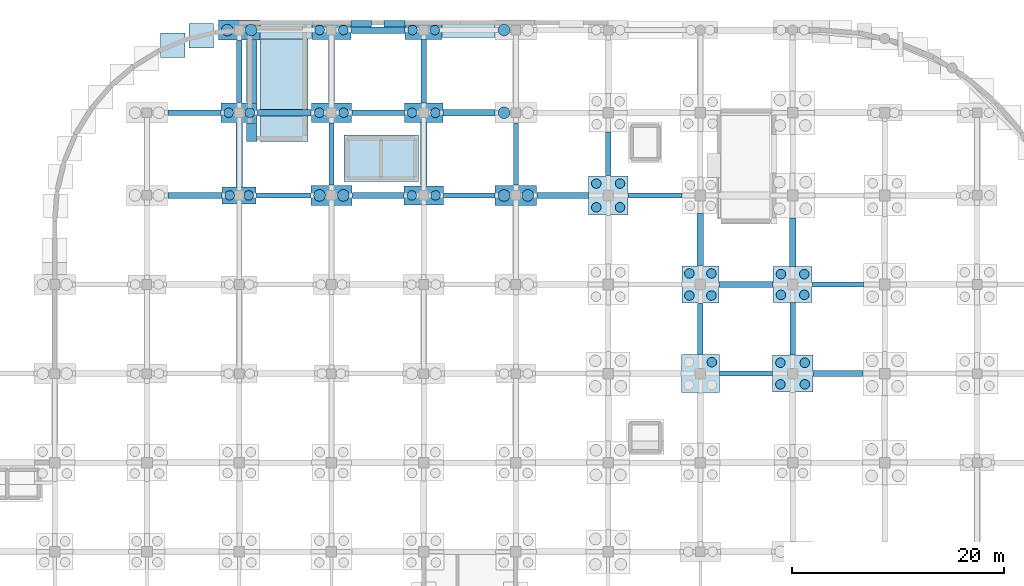
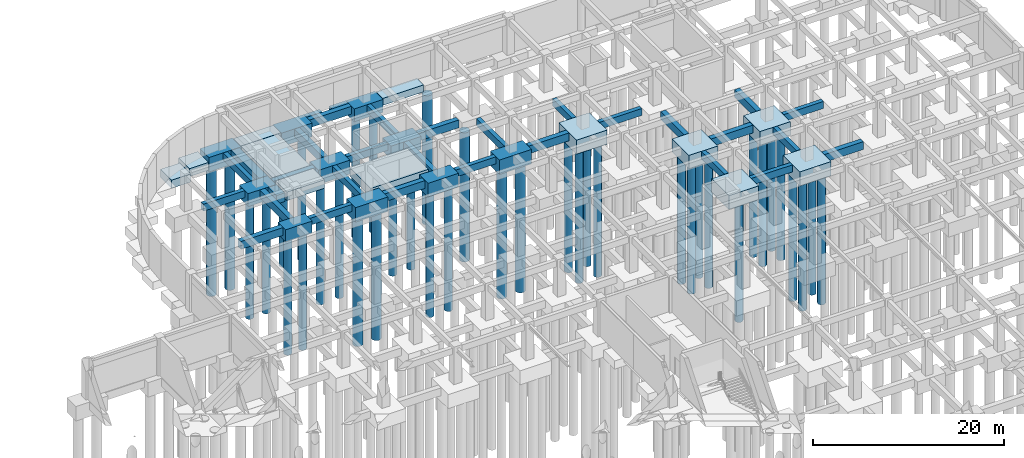
# One storey, part 10 of 33: 53 footings, 39 piles.
"""IFC4 building model written with IfcOpenShell, lengths in metres."""

import ifcopenshell
import ifcopenshell.guid

model = None  # the IFC model being written
_history = None  # IfcOwnerHistory: only IFC2X3 demands one
_inside = {}  # id of a spatial element -> (the spatial element, [elements in it])
_under = {}  # id of a project, library or spatial element -> (it, [spatial elements below it])
_declared = {}  # id of a project -> (the project, [libraries it declares])
_typed = {}  # id of a type object -> (the type object, [elements of that type])
_made_of = {}  # id of a material, layer set ... -> (it, [elements and type objects made of it])


def new_model(schema):
    """Start an empty IFC model of exactly this schema.

    Asked for "IFC4X3", IfcOpenShell would pick the latest addendum, in which some entities
    have other attributes; the version numbers below select the first issue.
    IFC2X3 requires an IfcOwnerHistory on every rooted entity: one is made here for all.
    """
    global model, _history
    if schema == "IFC4X3":
        model = ifcopenshell.file(schema_version=(4, 3, 0, 0))
    else:
        model = ifcopenshell.file(schema=schema)
    _inside.clear()
    _under.clear()
    _declared.clear()
    _typed.clear()
    _made_of.clear()
    _history = None
    if model.schema == "IFC2X3":
        org = make("IfcOrganization", Name="unknown")
        user = make(
            "IfcPersonAndOrganization",
            ThePerson=make("IfcPerson", FamilyName="unknown"),
            TheOrganization=org,
        )
        app = make(
            "IfcApplication",
            ApplicationDeveloper=org,
            Version="unknown",
            ApplicationFullName="unknown",
            ApplicationIdentifier="unknown",
        )
        _history = make(
            "IfcOwnerHistory",
            OwningUser=user,
            OwningApplication=app,
            ChangeAction="ADDED",
            CreationDate=0,
        )
    return model


def make(cls, **values):
    """One entity of the class cls with the attributes given. An attribute that is None is left unset."""
    return model.create_entity(
        cls, **{name: value for name, value in values.items() if value is not None}
    )


def rooted(cls, **values):
    """An entity with a GlobalId (a new one), such as an element, a storey or a relation."""
    return make(cls, GlobalId=ifcopenshell.guid.new(), OwnerHistory=_history, **values)


def si_unit(unit_type, name, prefix=None):
    """IfcSIUnit, for example si_unit("LENGTHUNIT", "METRE", prefix="MILLI")."""
    return make("IfcSIUnit", UnitType=unit_type, Prefix=prefix, Name=name)


def derived_unit(unit_type, elements):
    """IfcDerivedUnit: a product of units, each with its exponent."""
    return make(
        "IfcDerivedUnit",
        Elements=[
            make("IfcDerivedUnitElement", Unit=unit, Exponent=power)
            for unit, power in elements
        ],
        UnitType=unit_type,
    )


def assignment(units):
    """IfcUnitAssignment: the units of a project."""
    return None if units is None else make("IfcUnitAssignment", Units=units)


def point(xyz):
    """IfcCartesianPoint."""
    return None if xyz is None else make("IfcCartesianPoint", Coordinates=xyz)


def direction(xyz):
    """IfcDirection."""
    return None if xyz is None else make("IfcDirection", DirectionRatios=xyz)


def frame(location, z_axis=None, x_axis=None):
    """IfcAxis2Placement3D, a coordinate frame: its origin and axes. An axis left out is left unset."""
    return make(
        "IfcAxis2Placement3D",
        Location=point(location),
        Axis=direction(z_axis),
        RefDirection=direction(x_axis),
    )


def frame_2d(location, x_axis=None):
    """IfcAxis2Placement2D, a coordinate frame in the plane: its origin and x axis."""
    return make(
        "IfcAxis2Placement2D", Location=point(location), RefDirection=direction(x_axis)
    )


def origin():
    """The frame at (0, 0, 0) with its axes left unset."""
    return frame((0.0, 0.0, 0.0))


def origin_2d():
    """The frame at (0, 0) in the plane with its x axis left unset."""
    return frame_2d((0.0, 0.0))


def place(relative_to, where):
    """IfcLocalPlacement: puts the frame where relative to a parent placement (None: the world)."""
    return make(
        "IfcLocalPlacement", PlacementRelTo=relative_to, RelativePlacement=where
    )


def context(
    kind, dimensions, precision=None, world=None, true_north=None, identifier=None
):
    """IfcGeometricRepresentationContext, for example the 3D "Model" context."""
    return make(
        "IfcGeometricRepresentationContext",
        ContextIdentifier=identifier,
        ContextType=kind,
        CoordinateSpaceDimension=dimensions,
        Precision=precision,
        WorldCoordinateSystem=world,
        TrueNorth=true_north,
    )


def subcontext(parent, identifier, kind, view, scale=None):
    """IfcGeometricRepresentationSubContext, for example "Body" below "Model"."""
    return make(
        "IfcGeometricRepresentationSubContext",
        ContextIdentifier=identifier,
        ContextType=kind,
        ParentContext=parent,
        TargetScale=scale,
        TargetView=view,
    )


def project(units=None, contexts=None):
    """IfcProject with its units and contexts."""
    return rooted(
        "IfcProject",
        Name="project",
        RepresentationContexts=contexts,
        UnitsInContext=assignment(units),
    )


def spatial(cls, under=None, at=None, **own):
    """A site, building, storey or space (cls), placed at a placement, below another one or the project."""
    s = rooted(cls, ObjectPlacement=at, **own)
    if under is not None:
        _under.setdefault(under.id(), (under, []))[1].append(s)
    return s


def profile(cls, at=None, kind="AREA", **sizes):
    """A parametric profile (cls). Its sizes go by their IFC names, for example OverallWidth=200.0."""
    return make(cls, ProfileType=kind, Position=at, **sizes)


def rectangle(**sizes):
    """IfcRectangleProfileDef."""
    return profile("IfcRectangleProfileDef", **sizes)


def circle(**sizes):
    """IfcCircleProfileDef."""
    return profile("IfcCircleProfileDef", **sizes)


def extrude(swept, where, along, depth):
    """IfcExtrudedAreaSolid: the profile swept, set in the frame where, extruded along a direction by depth."""
    return make(
        "IfcExtrudedAreaSolid",
        SweptArea=swept,
        Position=where,
        ExtrudedDirection=direction(along),
        Depth=depth,
    )


def shape(context_of_items, identifier, shape_type, items):
    """IfcShapeRepresentation: the items that make up one representation, for example the "Body"."""
    return make(
        "IfcShapeRepresentation",
        ContextOfItems=context_of_items,
        RepresentationIdentifier=identifier,
        RepresentationType=shape_type,
        Items=items,
    )


def material(Name=None, Category=None):
    """IfcMaterial."""
    return make("IfcMaterial", Name=Name, Category=Category)


def material_profile(
    of_material, cross_section, Name=None, Category=None, Priority=None
):
    """IfcMaterialProfile: a cross section and its material."""
    return make(
        "IfcMaterialProfile",
        Name=Name,
        Material=of_material,
        Profile=cross_section,
        Priority=Priority,
        Category=Category,
    )


def profile_set(profiles, Name=None, composite=None):
    """IfcMaterialProfileSet."""
    return make(
        "IfcMaterialProfileSet",
        Name=Name,
        MaterialProfiles=profiles,
        CompositeProfile=composite,
    )


def made_of(thing, what):
    """Note that an element or type object is made of a material, layer set ...; save() writes the relation."""
    if what is not None:
        _made_of.setdefault(what.id(), (what, []))[1].append(thing)
    return thing


def type_object(cls, material=None, **own):
    """A type object (cls), such as IfcWallType, which elements share."""
    return made_of(rooted(cls, **own), material)


def element(
    cls,
    number,
    at=None,
    inside=None,
    cuts=None,
    type_object=None,
    material=None,
    context=None,
    identifier="Body",
    shape_type=None,
    held_by="IfcProductDefinitionShape",
    body=None,
    shapes=None,
    **own,
):
    """One element of the class cls, such as IfcWall. Its Tag is "e" and its number.

    at: its placement. inside: the storey or other place that contains it. cuts: it is an
    opening in that element (IfcRelVoidsElement). A single representation is given by context,
    identifier, shape_type and body (its items); several are given by shapes. held_by: the class
    of the entity that holds the representations. save() writes the other relations.
    """
    e = rooted(cls, Tag="e%d" % number, ObjectPlacement=at, **own)
    if body is not None:
        shapes = [shape(context, identifier, shape_type, body)]
    if shapes is not None:
        e.Representation = make(held_by, Representations=shapes)
    if inside is not None:
        _inside.setdefault(inside.id(), (inside, []))[1].append(e)
    if cuts is not None:
        rooted(
            "IfcRelVoidsElement", RelatingBuildingElement=cuts, RelatedOpeningElement=e
        )
    if type_object is not None:
        _typed.setdefault(type_object.id(), (type_object, []))[1].append(e)
    return made_of(e, material)


def aggregate(whole, parts):
    """IfcRelAggregates: a whole, such as a stair, and the parts it consists of."""
    return rooted("IfcRelAggregates", RelatingObject=whole, RelatedObjects=parts)


def save(model, path):
    """Write the relations noted so far, then the file.

    IfcRelAggregates (storeys below a building ...), IfcRelContainedInSpatialStructure (elements
    in a storey), IfcRelDefinesByType, IfcRelAssociatesMaterial and IfcRelDeclares: one each for
    every whole, place, type object, material and project.
    """
    for whole, parts in _under.values():
        aggregate(whole, parts)
    for where, things in _inside.values():
        rooted(
            "IfcRelContainedInSpatialStructure",
            RelatedElements=things,
            RelatingStructure=where,
        )
    for kind, things in _typed.values():
        rooted("IfcRelDefinesByType", RelatedObjects=things, RelatingType=kind)
    for what, things in _made_of.values():
        rooted("IfcRelAssociatesMaterial", RelatedObjects=things, RelatingMaterial=what)
    for by, libraries in _declared.values():
        rooted("IfcRelDeclares", RelatingContext=by, RelatedDefinitions=libraries)
    model.write(path)


model = new_model("IFC4")

# Units and contexts
model_context = context("Model", 3, precision=1e-05, world=origin(), true_north=direction((0.0, 1.0)))
body_context = subcontext(model_context, "Body", "Model", "MODEL_VIEW")
ifc_project = project(units=[si_unit("LENGTHUNIT", "METRE"), si_unit("AREAUNIT", "SQUARE_METRE"), si_unit("VOLUMEUNIT", "CUBIC_METRE"), si_unit("PLANEANGLEUNIT", "RADIAN"), si_unit("MASSUNIT", "GRAM", prefix="KILO"), derived_unit("THERMALTRANSMITTANCEUNIT", [(si_unit("MASSUNIT", "GRAM", prefix="KILO"), 1), (si_unit("TIMEUNIT", "SECOND"), -3), (si_unit("THERMODYNAMICTEMPERATUREUNIT", "KELVIN"), -1)])], contexts=[model_context])

# Site, building, storey
site_placement = place(None, origin())
site = spatial("IfcSite", under=ifc_project, at=site_placement, CompositionType="ELEMENT")
building_placement = place(site_placement, origin())
building = spatial("IfcBuilding", under=site, at=building_placement, Name="Qinzheling Arcade Emporium", CompositionType="ELEMENT")
storey_placement = place(building_placement, frame((0.0, 0.0, -9.60009765625)))
storey = spatial("IfcBuildingStorey", under=building, at=storey_placement, Name="B2", CompositionType="ELEMENT", Elevation=-9.60009765625)

# Footings
ifc_material = material(Name="Concrete C40", Category="concrete")
footing_type_1 = type_object("IfcFootingType", Name="Arcade Pad Footing 2400x2400x1050 C40", PredefinedType="PAD_FOOTING", material=ifc_material)
footing_1_placement = place(storey_placement, frame((63.3330078125, 113.177978515625, -1.0498046875), z_axis=(0.0, 0.0, 1.0), x_axis=(1.0, 0.0, 0.0)))
element("IfcFooting", 1, at=footing_1_placement, inside=storey, type_object=footing_type_1, Name="Retaining Wall Pad Footing FND-PF-RW-031", PredefinedType="PAD_FOOTING", context=body_context, shape_type="SweptSolid", body=[
    extrude(rectangle(XDim=2.300048828125, YDim=2.301025390625, at=origin_2d()), origin(), (0.0, 0.0, 1.0), 1.050048828125),
])
footing_2_placement = place(storey_placement, frame((81.10791015625, 115.202880859375, -1.0498046875), z_axis=(0.0, 0.0, 1.0), x_axis=(1.0, 0.0, 0.0)))
element("IfcFooting", 2, at=footing_2_placement, inside=storey, type_object=footing_type_1, Name="Retaining Wall Pad Footing FND-PF-RW-033", PredefinedType="PAD_FOOTING", context=body_context, shape_type="SweptSolid", body=[
    extrude(rectangle(XDim=1.903076171875, YDim=0.593994140625, at=origin_2d()), origin(), (0.0, 0.0, 1.0), 1.050048828125),
])
footing_type_2 = type_object("IfcFootingType", Name="Canopy Pad Footing 2600x2600x1100 C40", PredefinedType="PAD_FOOTING", material=ifc_material)
footing_3_placement = place(storey_placement, frame((70.800048828125, 104.97705078125, -1.099853515625), z_axis=(0.0, 0.0, 1.0), x_axis=(1.0, 0.0, 0.0)))
element("IfcFooting", 3, at=footing_3_placement, inside=storey, type_object=footing_type_2, Name="Stair Core Mat Pad FND-PF-ST-ST07-1", PredefinedType="PAD_FOOTING", context=body_context, shape_type="SweptSolid", body=[
    extrude(rectangle(XDim=0.99609375, YDim=1.7509765625, at=origin_2d()), origin(), (0.0, 0.0, 1.0), 1.10009765625),
])
footing_4_placement = place(storey_placement, frame((70.800048828125, 110.68798828125, -1.099853515625), z_axis=(0.0, 0.0, 1.0), x_axis=(1.0, 0.0, 0.0)))
element("IfcFooting", 4, at=footing_4_placement, inside=storey, type_object=footing_type_2, Name="Stair Core Mat Pad FND-PF-ST-ST07-2", PredefinedType="PAD_FOOTING", context=body_context, shape_type="SweptSolid", body=[
    extrude(rectangle(XDim=0.99609375, YDim=5.881103515625, at=origin_2d()), origin(), (0.0, 0.0, 1.0), 1.10009765625),
])
footing_5_placement = place(storey_placement, frame((73.830078125, 105.2900390625, -1.099853515625), z_axis=(0.0, 0.0, 1.0), x_axis=(1.0, 0.0, 0.0)))
element("IfcFooting", 5, at=footing_5_placement, inside=storey, type_object=footing_type_2, Name="Stair Core Mat Pad FND-PF-ST-ST07-3", PredefinedType="PAD_FOOTING", context=body_context, shape_type="SweptSolid", body=[
    extrude(rectangle(XDim=4.51611328125, YDim=2.3759765625, at=origin_2d()), origin(), (0.0, 0.0, 1.0), 1.10009765625),
])
footing_6_placement = place(storey_placement, frame((73.830078125, 110.449951171875, -1.099853515625), z_axis=(0.0, 0.0, 1.0), x_axis=(1.0, 0.0, 0.0)))
element("IfcFooting", 6, at=footing_6_placement, inside=storey, type_object=footing_type_2, Name="Stair Core Mat Pad FND-PF-ST-ST07-4", PredefinedType="PAD_FOOTING", context=body_context, shape_type="SweptSolid", body=[
    extrude(rectangle(XDim=4.51611328125, YDim=6.656005859375, at=origin_2d()), origin(), (0.0, 0.0, 1.0), 1.10009765625),
])
footing_7_placement = place(storey_placement, frame((83.0, 102.5, -1.099853515625), z_axis=(0.0, 0.0, 1.0), x_axis=(1.0, 0.0, 0.0)))
element("IfcFooting", 7, at=footing_7_placement, inside=storey, type_object=footing_type_2, Name="Lift Pit Mat Pad FND-PF-LF-LG01", PredefinedType="PAD_FOOTING", context=body_context, shape_type="SweptSolid", body=[
    extrude(rectangle(XDim=6.99609375, YDim=4.39599609375, at=origin_2d()), origin(), (0.0, 0.0, 1.0), 1.10009765625),
])
footing_type_3 = type_object("IfcFootingType", Name="Core Strip Footing 1400x900 C40", PredefinedType="STRIP_FOOTING", material=ifc_material)
footing_8_placement = place(storey_placement, frame((91.25, 114.60009765625, -0.89990234375), z_axis=(0.0, 0.0, 1.0), x_axis=(1.0, 0.0, 0.0)))
element("IfcFooting", 8, at=footing_8_placement, inside=storey, type_object=footing_type_3, Name="Foundation Tie FND-SF-007", PredefinedType="STRIP_FOOTING", context=body_context, shape_type="SweptSolid", body=[
    extrude(rectangle(XDim=4.9599609375, YDim=1.39990234375, at=origin_2d()), origin(), (0.0, 0.0, 1.0), 0.89990234375),
])
footing_type_4 = type_object("IfcFootingType", Name="Foundation Tie Beam 500x900 C40", PredefinedType="FOOTING_BEAM", material=ifc_material)
footing_9_placement = place(storey_placement, frame((117.39990234375, 82.199951171875, -0.89990234375), z_axis=(0.0, 0.0, 1.0), x_axis=(1.0, 0.0, 0.0)))
element("IfcFooting", 9, at=footing_9_placement, inside=storey, type_object=footing_type_4, Name="Foundation Tie FND-FB-143", PredefinedType="FOOTING_BEAM", context=body_context, shape_type="SweptSolid", body=[
    extrude(rectangle(XDim=4.9599609375, YDim=0.5, at=origin_2d()), origin(), (0.0, 0.0, 1.0), 0.89990234375),
])
footing_10_placement = place(storey_placement, frame((126.074951171875, 90.60009765625, -0.89990234375), z_axis=(0.0, 0.0, 1.0), x_axis=(1.0, 0.0, 0.0)))
element("IfcFooting", 10, at=footing_10_placement, inside=storey, type_object=footing_type_4, Name="Foundation Tie FND-FB-155", PredefinedType="FOOTING_BEAM", context=body_context, shape_type="SweptSolid", body=[
    extrude(rectangle(XDim=4.81005859375, YDim=0.5, at=origin_2d()), origin(), (0.0, 0.0, 1.0), 0.89990234375),
])
footing_11_placement = place(storey_placement, frame((73.77490234375, 99.0, -0.89990234375), z_axis=(0.0, 0.0, 1.0), x_axis=(1.0, 0.0, 0.0)))
element("IfcFooting", 11, at=footing_11_placement, inside=storey, type_object=footing_type_4, Name="Foundation Tie FND-FB-159", PredefinedType="FOOTING_BEAM", context=body_context, shape_type="SweptSolid", body=[
    extrude(rectangle(XDim=5.110107421875, YDim=0.5, at=origin_2d()), origin(), (0.0, 0.0, 1.0), 0.89990234375),
])
footing_12_placement = place(storey_placement, frame((91.300048828125, 99.0, -0.89990234375), z_axis=(0.0, 0.0, 1.0), x_axis=(1.0, 0.0, 0.0)))
element("IfcFooting", 12, at=footing_12_placement, inside=storey, type_object=footing_type_4, Name="Foundation Tie FND-FB-161", PredefinedType="FOOTING_BEAM", context=body_context, shape_type="SweptSolid", body=[
    extrude(rectangle(XDim=4.860107421875, YDim=0.5, at=origin_2d()), origin(), (0.0, 0.0, 1.0), 0.89990234375),
])
footing_13_placement = place(storey_placement, frame((108.824951171875, 99.0, -0.89990234375), z_axis=(0.0, 0.0, 1.0), x_axis=(1.0, 0.0, 0.0)))
element("IfcFooting", 13, at=footing_13_placement, inside=storey, type_object=footing_type_4, Name="Foundation Tie FND-FB-163", PredefinedType="FOOTING_BEAM", context=body_context, shape_type="SweptSolid", body=[
    extrude(rectangle(XDim=5.110107421875, YDim=0.5, at=origin_2d()), origin(), (0.0, 0.0, 1.0), 0.89990234375),
])
footing_14_placement = place(storey_placement, frame((65.375, 106.800048828125, -0.89990234375), z_axis=(0.0, 0.0, 1.0), x_axis=(1.0, 0.0, 0.0)))
element("IfcFooting", 14, at=footing_14_placement, inside=storey, type_object=footing_type_4, Name="Foundation Tie FND-FB-167", PredefinedType="FOOTING_BEAM", context=body_context, shape_type="SweptSolid", body=[
    extrude(rectangle(XDim=5.010009765625, YDim=0.5, at=origin_2d()), origin(), (0.0, 0.0, 1.0), 0.89990234375),
])
footing_15_placement = place(storey_placement, frame((82.699951171875, 106.800048828125, -0.89990234375), z_axis=(0.0, 0.0, 1.0), x_axis=(1.0, 0.0, 0.0)))
element("IfcFooting", 15, at=footing_15_placement, inside=storey, type_object=footing_type_4, Name="Foundation Tie FND-FB-169", PredefinedType="FOOTING_BEAM", context=body_context, shape_type="SweptSolid", body=[
    extrude(rectangle(XDim=4.9599609375, YDim=0.5, at=origin_2d()), origin(), (0.0, 0.0, 1.0), 0.89990234375),
])
for number, where, z_axis, x_axis, name in (
    (16, (69.60009765625, 110.68798828125, -0.89990234375), (0.0, 0.0, 1.0), (1.0, 0.0, 0.0), "Foundation Tie FND-FB-245"),
    (17, (78.300048828125, 102.912109375, -0.89990234375), (0.0, 0.0, 1.0), (1.0, 0.0, 0.0), "Foundation Tie FND-FB-253"),
):
    element("IfcFooting", number, at=place(storey_placement, frame(where, z_axis=z_axis, x_axis=x_axis)), inside=storey, type_object=footing_type_4, Name=name, PredefinedType="FOOTING_BEAM", context=body_context, shape_type="SweptSolid", body=[
        extrude(rectangle(XDim=0.5, YDim=5.885009765625, at=origin_2d()), origin(), (0.0, 0.0, 1.0), 0.89990234375),
    ])
footing_16_placement = place(storey_placement, frame((87.0, 110.712890625, -0.89990234375), z_axis=(0.0, 0.0, 1.0), x_axis=(1.0, 0.0, 0.0)))
element("IfcFooting", 18, at=footing_16_placement, inside=storey, type_object=footing_type_4, Name="Foundation Tie FND-FB-263", PredefinedType="FOOTING_BEAM", context=body_context, shape_type="SweptSolid", body=[
    extrude(rectangle(XDim=0.5, YDim=5.985107421875, at=origin_2d()), origin(), (0.0, 0.0, 1.0), 0.89990234375),
])
footing_17_placement = place(storey_placement, frame((95.699951171875, 102.89990234375, -0.89990234375), z_axis=(0.0, 0.0, 1.0), x_axis=(1.0, 0.0, 0.0)))
element("IfcFooting", 19, at=footing_17_placement, inside=storey, type_object=footing_type_4, Name="Foundation Tie FND-FB-271", PredefinedType="FOOTING_BEAM", context=body_context, shape_type="SweptSolid", body=[
    extrude(rectangle(XDim=0.5, YDim=5.860107421875, at=origin_2d()), origin(), (0.0, 0.0, 1.0), 0.89990234375),
])
footing_18_placement = place(storey_placement, frame((104.39990234375, 102.925048828125, -0.89990234375), z_axis=(0.0, 0.0, 1.0), x_axis=(1.0, 0.0, 0.0)))
element("IfcFooting", 20, at=footing_18_placement, inside=storey, type_object=footing_type_4, Name="Foundation Tie FND-FB-283", PredefinedType="FOOTING_BEAM", context=body_context, shape_type="SweptSolid", body=[
    extrude(rectangle(XDim=0.5, YDim=4.110107421875, at=origin_2d()), origin(), (0.0, 0.0, 1.0), 0.89990234375),
])
footing_19_placement = place(storey_placement, frame((113.10009765625, 86.425048828125, -0.89990234375), z_axis=(0.0, 0.0, 1.0), x_axis=(1.0, 0.0, 0.0)))
element("IfcFooting", 21, at=footing_19_placement, inside=storey, type_object=footing_type_4, Name="Foundation Tie FND-FB-293", PredefinedType="FOOTING_BEAM", context=body_context, shape_type="SweptSolid", body=[
    extrude(rectangle(XDim=0.5, YDim=4.81005859375, at=origin_2d()), origin(), (0.0, 0.0, 1.0), 0.89990234375),
])
footing_20_placement = place(storey_placement, frame((121.800048828125, 86.425048828125, -0.89990234375), z_axis=(0.0, 0.0, 1.0), x_axis=(1.0, 0.0, 0.0)))
element("IfcFooting", 22, at=footing_20_placement, inside=storey, type_object=footing_type_4, Name="Foundation Tie FND-FB-305", PredefinedType="FOOTING_BEAM", context=body_context, shape_type="SweptSolid", body=[
    extrude(rectangle(XDim=0.5, YDim=4.909912109375, at=origin_2d()), origin(), (0.0, 0.0, 1.0), 0.89990234375),
])
footing_type_5 = type_object("IfcFootingType", Name="Foundation Tie Beam 600x1000 C40", PredefinedType="FOOTING_BEAM", material=ifc_material)
footing_21_placement = place(storey_placement, frame((126.074951171875, 82.199951171875, -1.0), z_axis=(0.0, 0.0, 1.0), x_axis=(1.0, 0.0, 0.0)))
element("IfcFooting", 23, at=footing_21_placement, inside=storey, type_object=footing_type_5, Name="Foundation Tie FND-FB-144", PredefinedType="FOOTING_BEAM", context=body_context, shape_type="SweptSolid", body=[
    extrude(rectangle(XDim=4.7099609375, YDim=0.60009765625, at=origin_2d()), origin(), (0.0, 0.0, 1.0), 1.0),
])
footing_22_placement = place(storey_placement, frame((117.39990234375, 90.60009765625, -1.0), z_axis=(0.0, 0.0, 1.0), x_axis=(1.0, 0.0, 0.0)))
element("IfcFooting", 24, at=footing_22_placement, inside=storey, type_object=footing_type_5, Name="Foundation Tie FND-FB-154", PredefinedType="FOOTING_BEAM", context=body_context, shape_type="SweptSolid", body=[
    extrude(rectangle(XDim=5.06005859375, YDim=0.60009765625, at=origin_2d()), origin(), (0.0, 0.0, 1.0), 1.0),
])
footing_23_placement = place(storey_placement, frame((65.425048828125, 99.0, -1.0), z_axis=(0.0, 0.0, 1.0), x_axis=(1.0, 0.0, 0.0)))
element("IfcFooting", 25, at=footing_23_placement, inside=storey, type_object=footing_type_5, Name="Foundation Tie FND-FB-158", PredefinedType="FOOTING_BEAM", context=body_context, shape_type="SweptSolid", body=[
    extrude(rectangle(XDim=5.110107421875, YDim=0.60009765625, at=origin_2d()), origin(), (0.0, 0.0, 1.0), 1.0),
])
for number, where, z_axis, x_axis, name in (
    (26, (82.699951171875, 99.0, -1.0), (0.0, 0.0, 1.0), (1.0, 0.0, 0.0), "Foundation Tie FND-FB-160"),
    (27, (100.10009765625, 99.0, -1.0), (0.0, 0.0, 1.0), (1.0, 0.0, 0.0), "Foundation Tie FND-FB-162"),
):
    element("IfcFooting", number, at=place(storey_placement, frame(where, z_axis=z_axis, x_axis=x_axis)), inside=storey, type_object=footing_type_5, Name=name, PredefinedType="FOOTING_BEAM", context=body_context, shape_type="SweptSolid", body=[
        extrude(rectangle(XDim=4.860107421875, YDim=0.60009765625, at=origin_2d()), origin(), (0.0, 0.0, 1.0), 1.0),
    ])
footing_24_placement = place(storey_placement, frame((73.85009765625, 106.800048828125, -1.0), z_axis=(0.0, 0.0, 1.0), x_axis=(1.0, 0.0, 0.0)))
element("IfcFooting", 28, at=footing_24_placement, inside=storey, type_object=footing_type_5, Name="Foundation Tie FND-FB-168", PredefinedType="FOOTING_BEAM", context=body_context, shape_type="SweptSolid", body=[
    extrude(rectangle(XDim=5.06005859375, YDim=0.60009765625, at=origin_2d()), origin(), (0.0, 0.0, 1.0), 1.0),
])
footing_25_placement = place(storey_placement, frame((91.27490234375, 106.800048828125, -1.0), z_axis=(0.0, 0.0, 1.0), x_axis=(1.0, 0.0, 0.0)))
element("IfcFooting", 29, at=footing_25_placement, inside=storey, type_object=footing_type_5, Name="Foundation Tie FND-FB-170", PredefinedType="FOOTING_BEAM", context=body_context, shape_type="SweptSolid", body=[
    extrude(rectangle(XDim=4.909912109375, YDim=0.60009765625, at=origin_2d()), origin(), (0.0, 0.0, 1.0), 1.0),
])
footing_26_placement = place(storey_placement, frame((82.699951171875, 114.60009765625, -1.0), z_axis=(0.0, 0.0, 1.0), x_axis=(1.0, 0.0, 0.0)))
element("IfcFooting", 30, at=footing_26_placement, inside=storey, type_object=footing_type_5, Name="Foundation Tie FND-FB-176", PredefinedType="FOOTING_BEAM", context=body_context, shape_type="SweptSolid", body=[
    extrude(rectangle(XDim=5.06005859375, YDim=0.60009765625, at=origin_2d()), origin(), (0.0, 0.0, 1.0), 1.0),
])
footing_27_placement = place(storey_placement, frame((69.60009765625, 102.837890625, -1.0), z_axis=(0.0, 0.0, 1.0), x_axis=(1.0, 0.0, 0.0)))
element("IfcFooting", 31, at=footing_27_placement, inside=storey, type_object=footing_type_5, Name="Foundation Tie FND-FB-244", PredefinedType="FOOTING_BEAM", context=body_context, shape_type="SweptSolid", body=[
    extrude(rectangle(XDim=0.60009765625, YDim=6.034912109375, at=origin_2d()), origin(), (0.0, 0.0, 1.0), 1.0),
])
footing_28_placement = place(storey_placement, frame((78.300048828125, 110.712890625, -1.0), z_axis=(0.0, 0.0, 1.0), x_axis=(1.0, 0.0, 0.0)))
element("IfcFooting", 32, at=footing_28_placement, inside=storey, type_object=footing_type_5, Name="Foundation Tie FND-FB-254", PredefinedType="FOOTING_BEAM", context=body_context, shape_type="SweptSolid", body=[
    extrude(rectangle(XDim=0.60009765625, YDim=5.93505859375, at=origin_2d()), origin(), (0.0, 0.0, 1.0), 1.0),
])
footing_29_placement = place(storey_placement, frame((87.0, 102.89990234375, -1.0), z_axis=(0.0, 0.0, 1.0), x_axis=(1.0, 0.0, 0.0)))
element("IfcFooting", 33, at=footing_29_placement, inside=storey, type_object=footing_type_5, Name="Foundation Tie FND-FB-262", PredefinedType="FOOTING_BEAM", context=body_context, shape_type="SweptSolid", body=[
    extrude(rectangle(XDim=0.60009765625, YDim=5.9599609375, at=origin_2d()), origin(), (0.0, 0.0, 1.0), 1.0),
])
footing_30_placement = place(storey_placement, frame((113.10009765625, 94.824951171875, -1.0), z_axis=(0.0, 0.0, 1.0), x_axis=(1.0, 0.0, 0.0)))
element("IfcFooting", 34, at=footing_30_placement, inside=storey, type_object=footing_type_5, Name="Foundation Tie FND-FB-294", PredefinedType="FOOTING_BEAM", context=body_context, shape_type="SweptSolid", body=[
    extrude(rectangle(XDim=0.60009765625, YDim=4.909912109375, at=origin_2d()), origin(), (0.0, 0.0, 1.0), 1.0),
])
footing_31_placement = place(storey_placement, frame((121.800048828125, 94.60009765625, -1.0), z_axis=(0.0, 0.0, 1.0), x_axis=(1.0, 0.0, 0.0)))
element("IfcFooting", 35, at=footing_31_placement, inside=storey, type_object=footing_type_5, Name="Foundation Tie FND-FB-306", PredefinedType="FOOTING_BEAM", context=body_context, shape_type="SweptSolid", body=[
    extrude(rectangle(XDim=0.60009765625, YDim=4.56005859375, at=origin_2d()), origin(), (0.0, 0.0, 1.0), 1.0),
])
footing_type_6 = type_object("IfcFootingType", Name="Four-Pile Arcade Cap 3700x3400x1750 C40", PredefinedType="PILE_CAP", material=ifc_material)
footing_32_placement = place(storey_placement, frame((121.800048828125, 90.60009765625, -1.75), z_axis=(0.0, 0.0, 1.0), x_axis=(1.0, 0.0, 0.0)))
element("IfcFooting", 36, at=footing_32_placement, inside=storey, type_object=footing_type_6, Name="Pile Cap FND-PC-154", PredefinedType="PILE_CAP", context=body_context, shape_type="SweptSolid", body=[
    extrude(rectangle(XDim=3.699951171875, YDim=3.39990234375, at=origin_2d()), origin(), (0.0, 0.0, 1.0), 1.75),
])
footing_type_7 = type_object("IfcFootingType", Name="Four-Pile Frame Cap 3600x3600x1750 C40", PredefinedType="PILE_CAP", material=ifc_material)
footing_33_placement = place(storey_placement, frame((113.10009765625, 82.199951171875, -1.75), z_axis=(0.0, 0.0, 1.0), x_axis=(1.0, 0.0, 0.0)))
element("IfcFooting", 37, at=footing_33_placement, inside=storey, type_object=footing_type_7, Name="Pile Cap FND-PC-139", PredefinedType="PILE_CAP", context=body_context, shape_type="SweptSolid", body=[
    extrude(rectangle(XDim=3.60009765625, YDim=3.60009765625, at=origin_2d()), origin(), (0.0, 0.0, 1.0), 1.75),
])
footing_type_8 = type_object("IfcFootingType", Name="Four-Pile Gallery Cap 3500x3500x1700 C40", PredefinedType="PILE_CAP", material=ifc_material)
footing_34_placement = place(storey_placement, frame((113.10009765625, 90.60009765625, -1.69970703125), z_axis=(0.0, 0.0, 1.0), x_axis=(1.0, 0.0, 0.0)))
element("IfcFooting", 38, at=footing_34_placement, inside=storey, type_object=footing_type_8, Name="Pile Cap FND-PC-140", PredefinedType="PILE_CAP", context=body_context, shape_type="SweptSolid", body=[
    extrude(rectangle(XDim=3.5, YDim=3.5, at=origin_2d()), origin(), (0.0, 0.0, 1.0), 1.699951171875),
])
footing_type_9 = type_object("IfcFootingType", Name="Four-Pile Office Cap 3800x3500x1800 C40", PredefinedType="PILE_CAP", material=ifc_material)
footing_35_placement = place(storey_placement, frame((121.800048828125, 82.199951171875, -1.7998046875), z_axis=(0.0, 0.0, 1.0), x_axis=(1.0, 0.0, 0.0)))
element("IfcFooting", 39, at=footing_35_placement, inside=storey, type_object=footing_type_9, Name="Pile Cap FND-PC-153", PredefinedType="PILE_CAP", context=body_context, shape_type="SweptSolid", body=[
    extrude(rectangle(XDim=3.800048828125, YDim=3.5, at=origin_2d()), origin(), (0.0, 0.0, 1.0), 1.800048828125),
])
footing_type_10 = type_object("IfcFootingType", Name="Four-Pile Retail Cap 3700x3700x1800 C40", PredefinedType="PILE_CAP", material=ifc_material)
footing_36_placement = place(storey_placement, frame((104.39990234375, 99.0, -1.7998046875), z_axis=(0.0, 0.0, 1.0), x_axis=(1.0, 0.0, 0.0)))
element("IfcFooting", 40, at=footing_36_placement, inside=storey, type_object=footing_type_10, Name="Pile Cap FND-PC-127", PredefinedType="PILE_CAP", context=body_context, shape_type="SweptSolid", body=[
    extrude(rectangle(XDim=3.699951171875, YDim=3.699951171875, at=origin_2d()), origin(), (0.0, 0.0, 1.0), 1.800048828125),
])
footing_type_11 = type_object("IfcFootingType", Name="Loggia Pad Footing 2200x2200x1000 C40", PredefinedType="PAD_FOOTING", material=ifc_material)
footing_37_placement = place(storey_placement, frame((66.010986328125, 114.048095703125, -1.0), z_axis=(0.0, 0.0, 1.0), x_axis=(1.0, 0.0, 0.0)))
element("IfcFooting", 41, at=footing_37_placement, inside=storey, type_object=footing_type_11, Name="Retaining Wall Pad Footing FND-PF-RW-032", PredefinedType="PAD_FOOTING", context=body_context, shape_type="SweptSolid", body=[
    extrude(rectangle(XDim=2.300048828125, YDim=2.300048828125, at=origin_2d()), origin(), (0.0, 0.0, 1.0), 1.0),
])
footing_38_placement = place(storey_placement, frame((84.242919921875, 115.202880859375, -1.0), z_axis=(0.0, 0.0, 1.0), x_axis=(1.0, 0.0, 0.0)))
element("IfcFooting", 42, at=footing_38_placement, inside=storey, type_object=footing_type_11, Name="Retaining Wall Pad Footing FND-PF-RW-034", PredefinedType="PAD_FOOTING", context=body_context, shape_type="SweptSolid", body=[
    extrude(rectangle(XDim=2.001953125, YDim=0.593994140625, at=origin_2d()), origin(), (0.0, 0.0, 1.0), 1.0),
])
footing_type_12 = type_object("IfcFootingType", Name="Retaining Wall Strip Footing 1600x1000 C40", PredefinedType="STRIP_FOOTING", material=ifc_material)
footing_39_placement = place(storey_placement, frame((74.0, 114.60009765625, -1.0), z_axis=(0.0, 0.0, 1.0), x_axis=(1.0, 0.0, 0.0)))
element("IfcFooting", 43, at=footing_39_placement, inside=storey, type_object=footing_type_12, Name="Foundation Tie FND-SF-006", PredefinedType="STRIP_FOOTING", context=body_context, shape_type="SweptSolid", body=[
    extrude(rectangle(XDim=4.860107421875, YDim=1.60009765625, at=origin_2d()), origin(), (0.0, 0.0, 1.0), 1.0),
])

# Piles
ifc_material_profile_1 = material_profile(ifc_material, circle(Radius=0.550048828125, at=origin_2d()), Name="BORED D1100", Category="concrete")
ifc_profile_set_1 = profile_set([ifc_material_profile_1], Name="Concrete C40")
pile_type_1 = type_object("IfcPileType", Name="Rotary Bored Pile D1100 C40", PredefinedType="BORED", material=ifc_profile_set_1)
for number, where, z_axis, x_axis, name in (
    (44, (68.47998046875, 114.60009765625, -1.75), (0.0, 0.0, -1.0), (1.0, 0.0, 0.0), "Bored Pile FND-PL-0269"),
    (45, (70.719970703125, 114.60009765625, -1.75), (0.0, 0.0, -1.0), (1.0, 0.0, 0.0), "Bored Pile FND-PL-0270"),
    (46, (77.179931640625, 99.0, -1.75), (0.0, 0.0, -1.0), (1.0, 0.0, 0.0), "Bored Pile FND-PL-0295"),
    (47, (79.419921875, 99.0, -1.75), (0.0, 0.0, -1.0), (1.0, 0.0, 0.0), "Bored Pile FND-PL-0296"),
    (48, (94.580078125, 99.0, -1.75), (0.0, 0.0, -1.0), (1.0, 0.0, 0.0), "Bored Pile FND-PL-0355"),
    (49, (96.820068359375, 99.0, -1.75), (0.0, 0.0, -1.0), (1.0, 0.0, 0.0), "Bored Pile FND-PL-0356"),
    (50, (94.580078125, 106.800048828125, -1.75), (0.0, 0.0, -1.0), (1.0, 0.0, 0.0), "Bored Pile FND-PL-0357"),
    (51, (94.580078125, 114.60009765625, -1.75), (0.0, 0.0, -1.0), (1.0, 0.0, 0.0), "Bored Pile FND-PL-0359"),
):
    element("IfcPile", number, at=place(storey_placement, frame(where, z_axis=z_axis, x_axis=x_axis)), inside=storey, type_object=pile_type_1, Name=name, PredefinedType="BORED", context=body_context, shape_type="SweptSolid", body=[
        extrude(circle(Radius=0.550048828125, at=origin_2d()), origin(), (0.0, 0.0, 1.0), 16.5),
    ])
ifc_material_profile_2 = material_profile(ifc_material, circle(Radius=0.449951171875, at=origin_2d()), Name="BORED D900", Category="concrete")
ifc_profile_set_2 = profile_set([ifc_material_profile_2], Name="Concrete C40")
pile_type_2 = type_object("IfcPileType", Name="Rotary Bored Pile D900 C40", PredefinedType="BORED", material=ifc_profile_set_2)
for number, where, z_axis, x_axis, name in (
    (52, (68.699951171875, 99.0, -1.449951171875), (0.0, 0.0, -1.0), (1.0, 0.0, 0.0), "Bored Pile FND-PL-0265"),
    (53, (70.5, 99.0, -1.449951171875), (0.0, 0.0, -1.0), (1.0, 0.0, 0.0), "Bored Pile FND-PL-0266"),
    (54, (68.60009765625, 106.800048828125, -1.5498046875), (0.0, 0.0, -1.0), (1.0, 0.0, 0.0), "Bored Pile FND-PL-0267"),
    (55, (70.60009765625, 106.800048828125, -1.5498046875), (0.0, 0.0, -1.0), (1.0, 0.0, 0.0), "Bored Pile FND-PL-0268"),
):
    element("IfcPile", number, at=place(storey_placement, frame(where, z_axis=z_axis, x_axis=x_axis)), inside=storey, type_object=pile_type_2, Name=name, PredefinedType="BORED", context=body_context, shape_type="SweptSolid", body=[
        extrude(circle(Radius=0.449951171875, at=origin_2d()), origin(), (0.0, 0.0, 1.0), 15.0),
    ])
for number, where, z_axis, x_axis, name in (
    (56, (77.14990234375, 106.800048828125, -1.699951171875), (0.0, 0.0, -1.0), (1.0, 0.0, 0.0), "Bored Pile FND-PL-0297"),
    (57, (79.449951171875, 106.800048828125, -1.699951171875), (0.0, 0.0, -1.0), (1.0, 0.0, 0.0), "Bored Pile FND-PL-0298"),
    (58, (77.179931640625, 114.60009765625, -1.64990234375), (0.0, 0.0, -1.0), (1.0, 0.0, 0.0), "Bored Pile FND-PL-0299"),
    (59, (79.419921875, 114.60009765625, -1.64990234375), (0.0, 0.0, -1.0), (1.0, 0.0, 0.0), "Bored Pile FND-PL-0300"),
    (60, (85.8798828125, 99.0, -1.64990234375), (0.0, 0.0, -1.0), (1.0, 0.0, 0.0), "Bored Pile FND-PL-0325"),
    (61, (88.1201171875, 99.0, -1.64990234375), (0.0, 0.0, -1.0), (1.0, 0.0, 0.0), "Bored Pile FND-PL-0326"),
):
    element("IfcPile", number, at=place(storey_placement, frame(where, z_axis=z_axis, x_axis=x_axis)), inside=storey, type_object=pile_type_2, Name=name, PredefinedType="BORED", context=body_context, shape_type="SweptSolid", body=[
        extrude(circle(Radius=0.449951171875, at=origin_2d()), origin(), (0.0, 0.0, 1.0), 16.0),
    ])
for number, where, z_axis, x_axis, name in (
    (62, (85.89990234375, 106.800048828125, -1.599853515625), (0.0, 0.0, -1.0), (1.0, 0.0, 0.0), "Bored Pile FND-PL-0327"),
    (63, (88.10009765625, 106.800048828125, -1.599853515625), (0.0, 0.0, -1.0), (1.0, 0.0, 0.0), "Bored Pile FND-PL-0328"),
    (64, (85.949951171875, 114.60009765625, -1.5498046875), (0.0, 0.0, -1.0), (1.0, 0.0, 0.0), "Bored Pile FND-PL-0329"),
    (65, (88.050048828125, 114.60009765625, -1.5498046875), (0.0, 0.0, -1.0), (1.0, 0.0, 0.0), "Bored Pile FND-PL-0330"),
):
    element("IfcPile", number, at=place(storey_placement, frame(where, z_axis=z_axis, x_axis=x_axis)), inside=storey, type_object=pile_type_2, Name=name, PredefinedType="BORED", context=body_context, shape_type="SweptSolid", body=[
        extrude(circle(Radius=0.449951171875, at=origin_2d()), origin(), (0.0, 0.0, 1.0), 15.5),
    ])
for number, where, z_axis, x_axis, name in (
    (66, (103.280029296875, 97.8798828125, -1.699951171875), (0.0, 0.0, -1.0), (1.0, 0.0, 0.0), "Bored Pile FND-PL-0395"),
    (67, (105.52001953125, 97.8798828125, -1.699951171875), (0.0, 0.0, -1.0), (1.0, 0.0, 0.0), "Bored Pile FND-PL-0396"),
    (68, (103.280029296875, 100.1201171875, -1.699951171875), (0.0, 0.0, -1.0), (1.0, 0.0, 0.0), "Bored Pile FND-PL-0397"),
    (69, (105.52001953125, 100.1201171875, -1.699951171875), (0.0, 0.0, -1.0), (1.0, 0.0, 0.0), "Bored Pile FND-PL-0398"),
    (70, (114.179931640625, 83.280029296875, -1.64990234375), (0.0, 0.0, -1.0), (1.0, 0.0, 0.0), "Bored Pile FND-PL-0428"),
):
    element("IfcPile", number, at=place(storey_placement, frame(where, z_axis=z_axis, x_axis=x_axis)), inside=storey, type_object=pile_type_2, Name=name, PredefinedType="BORED", context=body_context, shape_type="SweptSolid", body=[
        extrude(circle(Radius=0.449951171875, at=origin_2d()), origin(), (0.0, 0.0, 1.0), 17.0),
    ])
for number, where, z_axis, x_axis, name in (
    (71, (112.06005859375, 89.56005859375, -1.599853515625), (0.0, 0.0, -1.0), (1.0, 0.0, 0.0), "Bored Pile FND-PL-0429"),
    (72, (114.139892578125, 89.56005859375, -1.599853515625), (0.0, 0.0, -1.0), (1.0, 0.0, 0.0), "Bored Pile FND-PL-0430"),
    (73, (112.06005859375, 91.639892578125, -1.599853515625), (0.0, 0.0, -1.0), (1.0, 0.0, 0.0), "Bored Pile FND-PL-0431"),
    (74, (114.139892578125, 91.639892578125, -1.599853515625), (0.0, 0.0, -1.0), (1.0, 0.0, 0.0), "Bored Pile FND-PL-0432"),
    (75, (120.64990234375, 81.179931640625, -1.699951171875), (0.0, 0.0, -1.0), (1.0, 0.0, 0.0), "Bored Pile FND-PL-0469"),
    (76, (122.949951171875, 81.179931640625, -1.699951171875), (0.0, 0.0, -1.0), (1.0, 0.0, 0.0), "Bored Pile FND-PL-0470"),
    (77, (120.64990234375, 83.219970703125, -1.699951171875), (0.0, 0.0, -1.0), (1.0, 0.0, 0.0), "Bored Pile FND-PL-0471"),
    (78, (122.949951171875, 83.219970703125, -1.699951171875), (0.0, 0.0, -1.0), (1.0, 0.0, 0.0), "Bored Pile FND-PL-0472"),
):
    element("IfcPile", number, at=place(storey_placement, frame(where, z_axis=z_axis, x_axis=x_axis)), inside=storey, type_object=pile_type_2, Name=name, PredefinedType="BORED", context=body_context, shape_type="SweptSolid", body=[
        extrude(circle(Radius=0.449951171875, at=origin_2d()), origin(), (0.0, 0.0, 1.0), 16.5),
    ])
for number, where, z_axis, x_axis, name in (
    (79, (120.699951171875, 89.6201171875, -1.64990234375), (0.0, 0.0, -1.0), (1.0, 0.0, 0.0), "Bored Pile FND-PL-0473"),
    (80, (122.89990234375, 89.6201171875, -1.64990234375), (0.0, 0.0, -1.0), (1.0, 0.0, 0.0), "Bored Pile FND-PL-0474"),
    (81, (120.699951171875, 91.580078125, -1.64990234375), (0.0, 0.0, -1.0), (1.0, 0.0, 0.0), "Bored Pile FND-PL-0475"),
    (82, (122.89990234375, 91.580078125, -1.64990234375), (0.0, 0.0, -1.0), (1.0, 0.0, 0.0), "Bored Pile FND-PL-0476"),
):
    element("IfcPile", number, at=place(storey_placement, frame(where, z_axis=z_axis, x_axis=x_axis)), inside=storey, type_object=pile_type_2, Name=name, PredefinedType="BORED", context=body_context, shape_type="SweptSolid", body=[
        extrude(circle(Radius=0.449951171875, at=origin_2d()), origin(), (0.0, 0.0, 1.0), 16.0),
    ])

# Footings
footing_type_13 = type_object("IfcFootingType", Name="Two-Pile Dock Cap 3800x1850x1800 C40", PredefinedType="PILE_CAP", material=ifc_material)
footing_40_placement = place(storey_placement, frame((78.300048828125, 106.800048828125, -1.7998046875), z_axis=(0.0, 0.0, 1.0), x_axis=(1.0, 0.0, 0.0)))
element("IfcFooting", 83, at=footing_40_placement, inside=storey, type_object=footing_type_13, Name="Pile Cap FND-PC-092", PredefinedType="PILE_CAP", context=body_context, shape_type="SweptSolid", body=[
    extrude(rectangle(XDim=3.800048828125, YDim=1.85009765625, at=origin_2d()), origin(), (0.0, 0.0, 1.0), 1.800048828125),
])
footing_type_14 = type_object("IfcFootingType", Name="Two-Pile Heavy Cap 3900x1900x1850 C40", PredefinedType="PILE_CAP", material=ifc_material)
for number, where, z_axis, x_axis, name in (
    (84, (69.60009765625, 114.60009765625, -1.849853515625), (0.0, 0.0, 1.0), (1.0, 0.0, 0.0), "Pile Cap FND-PC-082"),
    (85, (78.300048828125, 99.0, -1.849853515625), (0.0, 0.0, 1.0), (1.0, 0.0, 0.0), "Pile Cap FND-PC-091"),
    (86, (95.699951171875, 99.0, -1.849853515625), (0.0, 0.0, 1.0), (1.0, 0.0, 0.0), "Pile Cap FND-PC-113"),
):
    element("IfcFooting", number, at=place(storey_placement, frame(where, z_axis=z_axis, x_axis=x_axis)), inside=storey, type_object=footing_type_14, Name=name, PredefinedType="PILE_CAP", context=body_context, shape_type="SweptSolid", body=[
        extrude(rectangle(XDim=3.89990234375, YDim=1.89990234375, at=origin_2d()), origin(), (0.0, 0.0, 1.0), 1.85009765625),
    ])
footing_type_15 = type_object("IfcFootingType", Name="Two-Pile Pavilion Cap 3400x1850x1650 C40", PredefinedType="PILE_CAP", material=ifc_material)
footing_41_placement = place(storey_placement, frame((69.60009765625, 106.800048828125, -1.64990234375), z_axis=(0.0, 0.0, 1.0), x_axis=(1.0, 0.0, 0.0)))
element("IfcFooting", 87, at=footing_41_placement, inside=storey, type_object=footing_type_15, Name="Pile Cap FND-PC-081", PredefinedType="PILE_CAP", context=body_context, shape_type="SweptSolid", body=[
    extrude(rectangle(XDim=3.39990234375, YDim=1.85009765625, at=origin_2d()), origin(), (0.0, 0.0, 1.0), 1.64990234375),
])
footing_type_16 = type_object("IfcFootingType", Name="Two-Pile Pier Cap 3200x1600x1550 C40", PredefinedType="PILE_CAP", material=ifc_material)
footing_42_placement = place(storey_placement, frame((69.60009765625, 99.0, -1.5498046875), z_axis=(0.0, 0.0, 1.0), x_axis=(1.0, 0.0, 0.0)))
element("IfcFooting", 88, at=footing_42_placement, inside=storey, type_object=footing_type_16, Name="Pile Cap FND-PC-080", PredefinedType="PILE_CAP", context=body_context, shape_type="SweptSolid", body=[
    extrude(rectangle(XDim=3.199951171875, YDim=1.60009765625, at=origin_2d()), origin(), (0.0, 0.0, 1.0), 1.550048828125),
])
footing_type_17 = type_object("IfcFootingType", Name="Two-Pile Rectangular Cap 3600x1800x1700 C40", PredefinedType="PILE_CAP", material=ifc_material)
footing_43_placement = place(storey_placement, frame((87.0, 106.800048828125, -1.69970703125), z_axis=(0.0, 0.0, 1.0), x_axis=(1.0, 0.0, 0.0)))
element("IfcFooting", 89, at=footing_43_placement, inside=storey, type_object=footing_type_17, Name="Pile Cap FND-PC-103", PredefinedType="PILE_CAP", context=body_context, shape_type="SweptSolid", body=[
    extrude(rectangle(XDim=3.60009765625, YDim=1.800048828125, at=origin_2d()), origin(), (0.0, 0.0, 1.0), 1.699951171875),
])
footing_type_18 = type_object("IfcFootingType", Name="Two-Pile Spandrel Cap 3500x1750x1650 C40", PredefinedType="PILE_CAP", material=ifc_material)
footing_44_placement = place(storey_placement, frame((87.0, 114.60009765625, -1.64990234375), z_axis=(0.0, 0.0, 1.0), x_axis=(1.0, 0.0, 0.0)))
element("IfcFooting", 90, at=footing_44_placement, inside=storey, type_object=footing_type_18, Name="Pile Cap FND-PC-104", PredefinedType="PILE_CAP", context=body_context, shape_type="SweptSolid", body=[
    extrude(rectangle(XDim=3.5, YDim=1.75, at=origin_2d()), origin(), (0.0, 0.0, 1.0), 1.64990234375),
])
footing_type_19 = type_object("IfcFootingType", Name="Two-Pile Stockroom Cap 3700x1800x1750 C40", PredefinedType="PILE_CAP", material=ifc_material)
for number, where, z_axis, x_axis, name in (
    (91, (78.300048828125, 114.60009765625, -1.75), (0.0, 0.0, 1.0), (1.0, 0.0, 0.0), "Pile Cap FND-PC-093"),
    (92, (87.0, 99.0, -1.75), (0.0, 0.0, 1.0), (1.0, 0.0, 0.0), "Pile Cap FND-PC-102"),
):
    element("IfcFooting", number, at=place(storey_placement, frame(where, z_axis=z_axis, x_axis=x_axis)), inside=storey, type_object=footing_type_19, Name=name, PredefinedType="PILE_CAP", context=body_context, shape_type="SweptSolid", body=[
        extrude(rectangle(XDim=3.699951171875, YDim=1.800048828125, at=origin_2d()), origin(), (0.0, 0.0, 1.0), 1.75),
    ])

save(model, "model.ifc")
